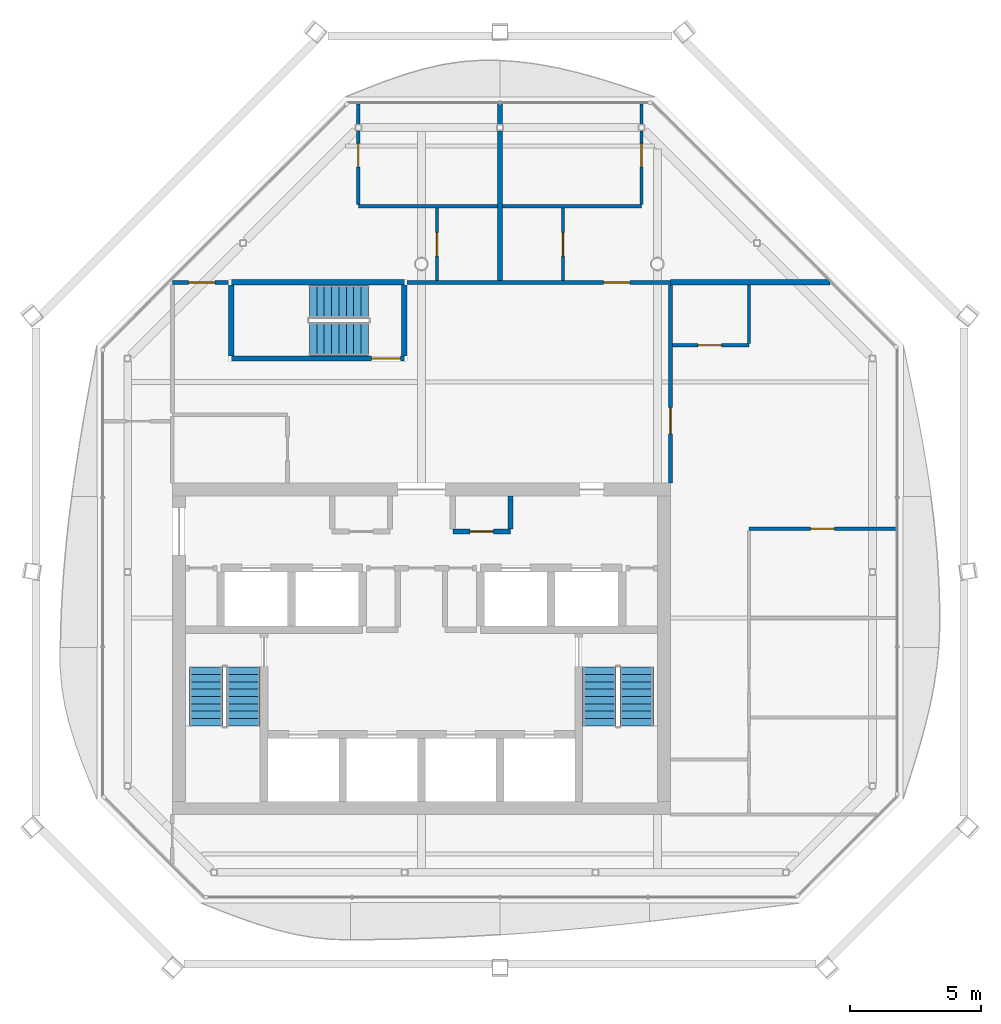
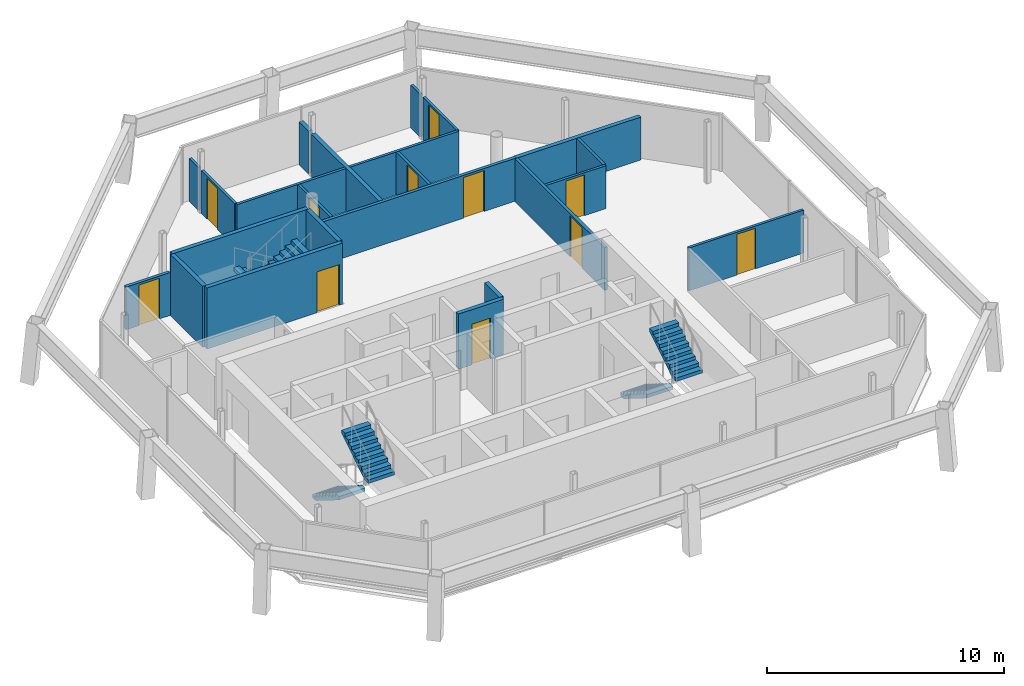
# One storey, part 11 of 14: 22 walls, 11 doors, 6 stair flights, 11 openings, 3 elements without a shape of their own.
"""IFC4 building model written with IfcOpenShell, lengths in metres."""

from ifc_helpers import new_model, si_unit, direction, frame, frame_2d, origin, place, context, subcontext, project, spatial, polyline, rectangle, outline, extrude, material, layer, layer_set, type_object, element, fill, aggregate, save


model = new_model("IFC4")

# Units and contexts
model_context = context("Model", 3, precision=1e-05, world=origin(), true_north=direction((0.0, 1.0)))
body_context = subcontext(model_context, "Body", "Model", "MODEL_VIEW")
ifc_project = project(units=[si_unit("LENGTHUNIT", "METRE"), si_unit("AREAUNIT", "SQUARE_METRE"), si_unit("VOLUMEUNIT", "CUBIC_METRE"), si_unit("PLANEANGLEUNIT", "RADIAN"), si_unit("MASSUNIT", "GRAM", prefix="KILO")], contexts=[model_context])

# Site, building, storey
site_placement = place(None, origin())
site = spatial("IfcSite", under=ifc_project, at=site_placement, CompositionType="ELEMENT")
building_placement = place(site_placement, origin())
building = spatial("IfcBuilding", under=site, at=building_placement, Name="Tskaro Facet Tower", CompositionType="ELEMENT")
storey_placement = place(building_placement, frame((0.0, 0.0, 294.14990234375)))
storey = spatial("IfcBuildingStorey", under=building, at=storey_placement, Name="L79", CompositionType="ELEMENT", Elevation=294.14990234375)

# Wall, opening, door
ifc_material_1 = material(Name="Concrete C20/25", Category="concrete")
ifc_layer_1 = layer(ifc_material_1, 0.199951171875, Name="Concrete C20/25")
ifc_layer_set_1 = layer_set([ifc_layer_1], Name="Concrete C20/25")
wall_type_1 = type_object("IfcWallType", Name="CORE-WALL", PredefinedType="SOLIDWALL", material=ifc_layer_set_1)
wall_1_placement = place(storey_placement, frame((1.199951171875, -1.199951171875, 0.0), z_axis=(0.0, 0.0, 1.0), x_axis=(1.0, 0.0, 0.0)))
wall_1 = element("IfcWall", 1, at=wall_1_placement, inside=storey, type_object=wall_type_1, Name="Core room wall W016", PredefinedType="SOLIDWALL", context=body_context, shape_type="SweptSolid", body=[
    extrude(rectangle(XDim=2.199951171875, YDim=0.199951171875, at=frame_2d((1.10009765625, 0.0))), origin(), (0.0, 0.0, 1.0), 2.85009765625),
])
opening_1_placement = place(wall_1_placement, frame((0.64990234375, 0.0, 0.0)))
opening_1 = element("IfcOpeningElement", 2, at=opening_1_placement, cuts=wall_1, Name="Opening T23-D11", PredefinedType="OPENING", context=body_context, shape_type="SweptSolid", body=[
    extrude(rectangle(XDim=0.89990234375, YDim=2.10009765625, at=frame_2d((0.449951171875, 1.050048828125))), frame((0.0, 0.10986328125, 0.0), z_axis=(0.0, -1.0, 0.0), x_axis=(1.0, 0.0, 0.0)), (0.0, 0.0, 1.0), 0.219970703125),
])
ifc_material_2 = material(Name="Timber", Category="wood")
door_type_1 = type_object("IfcDoorType", Name="D-ROOM", OperationType="NOTDEFINED", PredefinedType="DOOR", material=ifc_material_2)
door_1_placement = place(opening_1_placement, origin())
door_1 = element("IfcDoor", 3, at=door_1_placement, inside=storey, type_object=door_type_1, Name="Door T23-D11", OperationType="SINGLE_SWING_LEFT", OverallHeight=2.10009765625, OverallWidth=0.89990234375, PredefinedType="DOOR", context=body_context, shape_type="SweptSolid", body=[
    extrude(rectangle(XDim=0.89990234375, YDim=2.10009765625, at=frame_2d((0.449951171875, 1.050048828125))), frame((0.0, 0.02490234375, 0.0), z_axis=(0.0, -1.0, 0.0), x_axis=(1.0, 0.0, 0.0)), (0.0, 0.0, 1.0), 0.050048828125),
])
fill(opening_1, door_1)

# Wall
wall_2_placement = place(storey_placement, frame((3.39990234375, -1.10009765625, 0.0), z_axis=(0.0, 0.0, 1.0), x_axis=(0.0, 1.0, 0.0)))
element("IfcWall", 4, at=wall_2_placement, inside=storey, type_object=wall_type_1, Name="Core room wall W051", PredefinedType="SOLIDWALL", context=body_context, shape_type="SweptSolid", body=[
    extrude(rectangle(XDim=1.25, YDim=0.199951171875, at=frame_2d((0.625, 0.0))), origin(), (0.0, 0.0, 1.0), 2.85009765625),
])

# Wall, opening, door
ifc_material_3 = material(Name="Gypsum board on steel studs", Category="steel")
ifc_layer_2 = layer(ifc_material_3, 0.125, Name="Gypsum board on steel studs")
ifc_layer_set_2 = layer_set([ifc_layer_2], Name="Gypsum board on steel studs")
wall_type_2 = type_object("IfcWallType", Name="PART", PredefinedType="PARTITIONING", material=ifc_layer_set_2)
wall_3_placement = place(storey_placement, frame((18.10009765625, -1.10009765625, 0.0), z_axis=(0.0, 0.0, 1.0), x_axis=(-1.0, 0.0, 0.0)))
wall_3 = element("IfcWall", 5, at=wall_3_placement, inside=storey, type_object=wall_type_2, Name="Partition W017", PredefinedType="PARTITIONING", context=body_context, shape_type="SweptSolid", body=[
    extrude(rectangle(XDim=5.60009765625, YDim=0.125, at=frame_2d((2.800048828125, 0.0))), origin(), (0.0, 0.0, 1.0), 2.210205078125),
])
opening_2_placement = place(wall_3_placement, frame((2.35009765625, 0.0, 0.0)))
opening_2 = element("IfcOpeningElement", 6, at=opening_2_placement, cuts=wall_3, Name="Opening T23-D12", PredefinedType="OPENING", context=body_context, shape_type="SweptSolid", body=[
    extrude(rectangle(XDim=0.89990234375, YDim=2.10009765625, at=frame_2d((0.449951171875, 1.050048828125))), frame((0.0, 0.072509765625, 0.0), z_axis=(0.0, -1.0, 0.0), x_axis=(1.0, 0.0, 0.0)), (0.0, 0.0, 1.0), 0.14501953125),
])
door_2_placement = place(opening_2_placement, origin())
door_2 = element("IfcDoor", 7, at=door_2_placement, inside=storey, type_object=door_type_1, Name="Door T23-D12", OperationType="SINGLE_SWING_RIGHT", OverallHeight=2.10009765625, OverallWidth=0.89990234375, PredefinedType="DOOR", context=body_context, shape_type="SweptSolid", body=[
    extrude(rectangle(XDim=0.89990234375, YDim=2.10009765625, at=frame_2d((0.449951171875, 1.050048828125))), frame((0.0, 0.02490234375, 0.0), z_axis=(0.0, -1.0, 0.0), x_axis=(1.0, 0.0, 0.0)), (0.0, 0.0, 1.0), 0.050048828125),
])
fill(opening_2, door_2)

wall_4_placement = place(storey_placement, frame((9.574951171875, 5.89990234375, 0.0), z_axis=(0.0, 0.0, 1.0), x_axis=(1.0, 0.0, 0.0)))
wall_4 = element("IfcWall", 8, at=wall_4_placement, inside=storey, type_object=wall_type_2, Name="Partition W021", PredefinedType="PARTITIONING", context=body_context, shape_type="SweptSolid", body=[
    extrude(rectangle(XDim=2.925048828125, YDim=0.125, at=frame_2d((1.46240234375, 0.0))), origin(), (0.0, 0.0, 1.0), 2.210205078125),
])
opening_3_placement = place(wall_4_placement, frame((0.97509765625, 0.0, 0.0)))
opening_3 = element("IfcOpeningElement", 9, at=opening_3_placement, cuts=wall_4, Name="Opening T23-D18", PredefinedType="OPENING", context=body_context, shape_type="SweptSolid", body=[
    extrude(rectangle(XDim=0.89990234375, YDim=2.10009765625, at=frame_2d((0.449951171875, 1.050048828125))), frame((0.0, 0.072509765625, 0.0), z_axis=(0.0, -1.0, 0.0), x_axis=(1.0, 0.0, 0.0)), (0.0, 0.0, 1.0), 0.14501953125),
])
door_3_placement = place(opening_3_placement, origin())
door_3 = element("IfcDoor", 10, at=door_3_placement, inside=storey, type_object=door_type_1, Name="Door T23-D18", OperationType="SINGLE_SWING_LEFT", OverallHeight=2.10009765625, OverallWidth=0.89990234375, PredefinedType="DOOR", context=body_context, shape_type="SweptSolid", body=[
    extrude(rectangle(XDim=0.89990234375, YDim=2.10009765625, at=frame_2d((0.449951171875, 1.050048828125))), frame((0.0, 0.02490234375, 0.0), z_axis=(0.0, -1.0, 0.0), x_axis=(1.0, 0.0, 0.0)), (0.0, 0.0, 1.0), 0.050048828125),
])
fill(opening_3, door_3)

# Wall
wall_5_placement = place(storey_placement, frame((-2.405029296875, 11.199951171875, 0.0), z_axis=(0.0, 0.0, 1.0), x_axis=(1.0, 0.0, 0.0)))
element("IfcWall", 11, at=wall_5_placement, inside=storey, type_object=wall_type_2, Name="Partition W026", PredefinedType="PARTITIONING", context=body_context, shape_type="SweptSolid", body=[
    extrude(rectangle(XDim=10.804931640625, YDim=0.125, at=frame_2d((5.40234375, 0.0))), origin(), (0.0, 0.0, 1.0), 2.210205078125),
])

# Wall, opening, door
wall_6_placement = place(storey_placement, frame((-2.405029296875, 14.074951171875, 0.0), z_axis=(0.0, 0.0, 1.0), x_axis=(0.0, -1.0, 0.0)))
wall_6 = element("IfcWall", 12, at=wall_6_placement, inside=storey, type_object=wall_type_2, Name="Partition W037", PredefinedType="PARTITIONING", context=body_context, shape_type="SweptSolid", body=[
    extrude(rectangle(XDim=2.8125, YDim=0.125, at=frame_2d((1.40625, 0.0))), origin(), (0.0, 0.0, 1.0), 2.210205078125),
])
opening_4_placement = place(wall_6_placement, frame((0.47509765625, 0.0, 0.0)))
opening_4 = element("IfcOpeningElement", 13, at=opening_4_placement, cuts=wall_6, Name="Opening T23-D23", PredefinedType="OPENING", context=body_context, shape_type="SweptSolid", body=[
    extrude(rectangle(XDim=0.89990234375, YDim=2.10009765625, at=frame_2d((0.449951171875, 1.050048828125))), frame((0.0, 0.072509765625, 0.0), z_axis=(0.0, -1.0, 0.0), x_axis=(1.0, 0.0, 0.0)), (0.0, 0.0, 1.0), 0.14501953125),
])
door_4_placement = place(opening_4_placement, origin())
door_4 = element("IfcDoor", 14, at=door_4_placement, inside=storey, type_object=door_type_1, Name="Door T23-D23", OperationType="SINGLE_SWING_RIGHT", OverallHeight=2.10009765625, OverallWidth=0.89990234375, PredefinedType="DOOR", context=body_context, shape_type="SweptSolid", body=[
    extrude(rectangle(XDim=0.89990234375, YDim=2.10009765625, at=frame_2d((0.449951171875, 1.050048828125))), frame((0.0, 0.02490234375, 0.0), z_axis=(0.0, -1.0, 0.0), x_axis=(1.0, 0.0, 0.0)), (0.0, 0.0, 1.0), 0.050048828125),
])
fill(opening_4, door_4)

# Wall
wall_7_placement = place(storey_placement, frame((-2.405029296875, 14.324951171875, 0.0), z_axis=(0.0, 0.0, 1.0), x_axis=(0.0, 1.0, 0.0)))
element("IfcWall", 15, at=wall_7_placement, inside=storey, type_object=wall_type_2, Name="Partition W038", PredefinedType="PARTITIONING", context=body_context, shape_type="SweptSolid", body=[
    extrude(rectangle(XDim=0.775146484375, YDim=0.125, at=frame_2d((0.3876953125, 0.0))), origin(), (0.0, 0.0, 1.0), 2.210205078125),
])

# Wall, opening, door
wall_8_placement = place(storey_placement, frame((0.60009765625, 11.137451171875, 0.0), z_axis=(0.0, 0.0, 1.0), x_axis=(0.0, -1.0, 0.0)))
wall_8 = element("IfcWall", 16, at=wall_8_placement, inside=storey, type_object=wall_type_2, Name="Partition W044", PredefinedType="PARTITIONING", context=body_context, shape_type="SweptSolid", body=[
    extrude(rectangle(XDim=2.762451171875, YDim=0.125, at=frame_2d((1.38134765625, 0.0))), origin(), (0.0, 0.0, 1.0), 2.210205078125),
])
opening_5_placement = place(wall_8_placement, frame((0.9375, 0.0, 0.0)))
opening_5 = element("IfcOpeningElement", 17, at=opening_5_placement, cuts=wall_8, Name="Opening T23-D21", PredefinedType="OPENING", context=body_context, shape_type="SweptSolid", body=[
    extrude(rectangle(XDim=0.89990234375, YDim=2.10009765625, at=frame_2d((0.449951171875, 1.050048828125))), frame((0.0, 0.072509765625, 0.0), z_axis=(0.0, -1.0, 0.0), x_axis=(1.0, 0.0, 0.0)), (0.0, 0.0, 1.0), 0.14501953125),
])
door_5_placement = place(opening_5_placement, origin())
door_5 = element("IfcDoor", 18, at=door_5_placement, inside=storey, type_object=door_type_1, Name="Door T23-D21", OperationType="SINGLE_SWING_RIGHT", OverallHeight=2.10009765625, OverallWidth=0.89990234375, PredefinedType="DOOR", context=body_context, shape_type="SweptSolid", body=[
    extrude(rectangle(XDim=0.89990234375, YDim=2.10009765625, at=frame_2d((0.449951171875, 1.050048828125))), frame((0.0, 0.02490234375, 0.0), z_axis=(0.0, -1.0, 0.0), x_axis=(1.0, 0.0, 0.0)), (0.0, 0.0, 1.0), 0.050048828125),
])
fill(opening_5, door_5)

wall_9_placement = place(storey_placement, frame((5.39990234375, 8.375, 0.0), z_axis=(0.0, 0.0, 1.0), x_axis=(0.0, 1.0, 0.0)))
wall_9 = element("IfcWall", 19, at=wall_9_placement, inside=storey, type_object=wall_type_2, Name="Partition W053", PredefinedType="PARTITIONING", context=body_context, shape_type="SweptSolid", body=[
    extrude(rectangle(XDim=2.762451171875, YDim=0.125, at=frame_2d((1.38134765625, 0.0))), origin(), (0.0, 0.0, 1.0), 2.210205078125),
])
opening_6_placement = place(wall_9_placement, frame((0.925048828125, 0.0, 0.0)))
opening_6 = element("IfcOpeningElement", 20, at=opening_6_placement, cuts=wall_9, Name="Opening T23-D22", PredefinedType="OPENING", context=body_context, shape_type="SweptSolid", body=[
    extrude(rectangle(XDim=0.89990234375, YDim=2.10009765625, at=frame_2d((0.449951171875, 1.050048828125))), frame((0.0, 0.072509765625, 0.0), z_axis=(0.0, -1.0, 0.0), x_axis=(1.0, 0.0, 0.0)), (0.0, 0.0, 1.0), 0.14501953125),
])
door_6_placement = place(opening_6_placement, origin())
door_6 = element("IfcDoor", 21, at=door_6_placement, inside=storey, type_object=door_type_1, Name="Door T23-D22", OperationType="SINGLE_SWING_LEFT", OverallHeight=2.10009765625, OverallWidth=0.89990234375, PredefinedType="DOOR", context=body_context, shape_type="SweptSolid", body=[
    extrude(rectangle(XDim=0.89990234375, YDim=2.10009765625, at=frame_2d((0.449951171875, 1.050048828125))), frame((0.0, 0.02490234375, 0.0), z_axis=(0.0, -1.0, 0.0), x_axis=(1.0, 0.0, 0.0)), (0.0, 0.0, 1.0), 0.050048828125),
])
fill(opening_6, door_6)

wall_10_placement = place(storey_placement, frame((8.39990234375, 11.262451171875, 0.0), z_axis=(0.0, 0.0, 1.0), x_axis=(0.0, 1.0, 0.0)))
wall_10 = element("IfcWall", 22, at=wall_10_placement, inside=storey, type_object=wall_type_2, Name="Partition W056", PredefinedType="PARTITIONING", context=body_context, shape_type="SweptSolid", body=[
    extrude(rectangle(XDim=2.8125, YDim=0.125, at=frame_2d((1.40625, 0.0))), origin(), (0.0, 0.0, 1.0), 2.210205078125),
])
opening_7_placement = place(wall_10_placement, frame((1.4375, 0.0, 0.0)))
opening_7 = element("IfcOpeningElement", 23, at=opening_7_placement, cuts=wall_10, Name="Opening T23-D24", PredefinedType="OPENING", context=body_context, shape_type="SweptSolid", body=[
    extrude(rectangle(XDim=0.89990234375, YDim=2.10009765625, at=frame_2d((0.449951171875, 1.050048828125))), frame((0.0, 0.072509765625, 0.0), z_axis=(0.0, -1.0, 0.0), x_axis=(1.0, 0.0, 0.0)), (0.0, 0.0, 1.0), 0.14501953125),
])
door_7_placement = place(opening_7_placement, origin())
door_7 = element("IfcDoor", 24, at=door_7_placement, inside=storey, type_object=door_type_1, Name="Door T23-D24", OperationType="SINGLE_SWING_LEFT", OverallHeight=2.10009765625, OverallWidth=0.89990234375, PredefinedType="DOOR", context=body_context, shape_type="SweptSolid", body=[
    extrude(rectangle(XDim=0.89990234375, YDim=2.10009765625, at=frame_2d((0.449951171875, 1.050048828125))), frame((0.0, 0.02490234375, 0.0), z_axis=(0.0, -1.0, 0.0), x_axis=(1.0, 0.0, 0.0)), (0.0, 0.0, 1.0), 0.050048828125),
])
fill(opening_7, door_7)

# Walls
wall_11_placement = place(storey_placement, frame((8.39990234375, 14.324951171875, 0.0), z_axis=(0.0, 0.0, 1.0), x_axis=(0.0, 1.0, 0.0)))
element("IfcWall", 25, at=wall_11_placement, inside=storey, type_object=wall_type_2, Name="Partition W057", PredefinedType="PARTITIONING", context=body_context, shape_type="SweptSolid", body=[
    extrude(rectangle(XDim=0.775146484375, YDim=0.125, at=frame_2d((0.3876953125, 0.0))), origin(), (0.0, 0.0, 1.0), 2.210205078125),
])
wall_12_placement = place(storey_placement, frame((12.5, 5.96240234375, 0.0), z_axis=(0.0, 0.0, 1.0), x_axis=(0.0, 1.0, 0.0)))
element("IfcWall", 26, at=wall_12_placement, inside=storey, type_object=wall_type_2, Name="Partition W060", PredefinedType="PARTITIONING", context=body_context, shape_type="SweptSolid", body=[
    extrude(rectangle(XDim=2.237548828125, YDim=0.125, at=frame_2d((1.11865234375, 0.0))), origin(), (0.0, 0.0, 1.0), 2.210205078125),
])

# Wall, opening, door
ifc_layer_3 = layer(ifc_material_3, 0.14990234375, Name="Gypsum board on steel studs")
ifc_layer_set_3 = layer_set([ifc_layer_3], Name="Gypsum board on steel studs")
wall_type_3 = type_object("IfcWallType", Name="PART-CORR", PredefinedType="PARTITIONING", material=ifc_layer_set_3)
wall_13_placement = place(storey_placement, frame((-9.5, 8.300048828125, 0.0), z_axis=(0.0, 0.0, 1.0), x_axis=(1.0, 0.0, 0.0)))
wall_13 = element("IfcWall", 27, at=wall_13_placement, inside=storey, type_object=wall_type_3, Name="Corridor wall W022", PredefinedType="PARTITIONING", context=body_context, shape_type="SweptSolid", body=[
    extrude(rectangle(XDim=2.14990234375, YDim=0.14990234375, at=frame_2d((1.074951171875, 0.0))), origin(), (0.0, 0.0, 1.0), 2.210205078125),
])
opening_8_placement = place(wall_13_placement, frame((0.625, 0.0, 0.0)))
opening_8 = element("IfcOpeningElement", 28, at=opening_8_placement, cuts=wall_13, Name="Opening T23-D19", PredefinedType="OPENING", context=body_context, shape_type="SweptSolid", body=[
    extrude(rectangle(XDim=1.0, YDim=2.10009765625, at=frame_2d((0.5, 1.050048828125))), frame((0.0, 0.0849609375, 0.0), z_axis=(0.0, -1.0, 0.0), x_axis=(1.0, 0.0, 0.0)), (0.0, 0.0, 1.0), 0.169921875),
])
door_type_2 = type_object("IfcDoorType", Name="D-FLAT-ENTRY", OperationType="NOTDEFINED", PredefinedType="DOOR", material=ifc_material_2)
door_8_placement = place(opening_8_placement, origin())
door_8 = element("IfcDoor", 29, at=door_8_placement, inside=storey, type_object=door_type_2, Name="Door T23-D19", OperationType="SINGLE_SWING_RIGHT", OverallHeight=2.10009765625, OverallWidth=1.0, PredefinedType="DOOR", context=body_context, shape_type="SweptSolid", body=[
    extrude(rectangle(XDim=1.0, YDim=2.10009765625, at=frame_2d((0.5, 1.050048828125))), frame((0.0, 0.02490234375, 0.0), z_axis=(0.0, -1.0, 0.0), x_axis=(1.0, 0.0, 0.0)), (0.0, 0.0, 1.0), 0.050048828125),
])
fill(opening_8, door_8)

wall_14_placement = place(storey_placement, frame((-0.550048828125, 8.300048828125, 0.0), z_axis=(0.0, 0.0, 1.0), x_axis=(1.0, 0.0, 0.0)))
wall_14 = element("IfcWall", 30, at=wall_14_placement, inside=storey, type_object=wall_type_3, Name="Corridor wall W024", PredefinedType="PARTITIONING", context=body_context, shape_type="SweptSolid", body=[
    extrude(rectangle(XDim=10.050048828125, YDim=0.14990234375, at=frame_2d((5.02490234375, 0.0))), origin(), (0.0, 0.0, 1.0), 2.210205078125),
])
opening_9_placement = place(wall_14_placement, frame((7.5, 0.0, 0.0)))
opening_9 = element("IfcOpeningElement", 31, at=opening_9_placement, cuts=wall_14, Name="Opening T23-D20", PredefinedType="OPENING", context=body_context, shape_type="SweptSolid", body=[
    extrude(rectangle(XDim=1.0, YDim=2.10009765625, at=frame_2d((0.5, 1.050048828125))), frame((0.0, 0.0849609375, 0.0), z_axis=(0.0, -1.0, 0.0), x_axis=(1.0, 0.0, 0.0)), (0.0, 0.0, 1.0), 0.169921875),
])
door_9_placement = place(opening_9_placement, origin())
door_9 = element("IfcDoor", 32, at=door_9_placement, inside=storey, type_object=door_type_2, Name="Door T23-D20", OperationType="SINGLE_SWING_LEFT", OverallHeight=2.10009765625, OverallWidth=1.0, PredefinedType="DOOR", context=body_context, shape_type="SweptSolid", body=[
    extrude(rectangle(XDim=1.0, YDim=2.10009765625, at=frame_2d((0.5, 1.050048828125))), frame((0.0, 0.02490234375, 0.0), z_axis=(0.0, -1.0, 0.0), x_axis=(1.0, 0.0, 0.0)), (0.0, 0.0, 1.0), 0.050048828125),
])
fill(opening_9, door_9)

wall_15_placement = place(storey_placement, frame((9.5, 8.199951171875, 0.0), z_axis=(0.0, 0.0, 1.0), x_axis=(0.0, -1.0, 0.0)))
wall_15 = element("IfcWall", 33, at=wall_15_placement, inside=storey, type_object=wall_type_3, Name="Corridor wall W058", PredefinedType="PARTITIONING", context=body_context, shape_type="SweptSolid", body=[
    extrude(rectangle(XDim=7.550048828125, YDim=0.14990234375, at=frame_2d((3.77490234375, 0.0))), origin(), (0.0, 0.0, 1.0), 2.210205078125),
])
opening_10_placement = place(wall_15_placement, frame((4.675048828125, 0.0, 0.0)))
opening_10 = element("IfcOpeningElement", 34, at=opening_10_placement, cuts=wall_15, Name="Opening T23-D17", PredefinedType="OPENING", context=body_context, shape_type="SweptSolid", body=[
    extrude(rectangle(XDim=1.0, YDim=2.10009765625, at=frame_2d((0.5, 1.050048828125))), frame((0.0, 0.0849609375, 0.0), z_axis=(0.0, -1.0, 0.0), x_axis=(1.0, 0.0, 0.0)), (0.0, 0.0, 1.0), 0.169921875),
])
door_10_placement = place(opening_10_placement, origin())
door_10 = element("IfcDoor", 35, at=door_10_placement, inside=storey, type_object=door_type_2, Name="Door T23-D17", OperationType="SINGLE_SWING_LEFT", OverallHeight=2.10009765625, OverallWidth=1.0, PredefinedType="DOOR", context=body_context, shape_type="SweptSolid", body=[
    extrude(rectangle(XDim=1.0, YDim=2.10009765625, at=frame_2d((0.5, 1.050048828125))), frame((0.0, 0.02490234375, 0.0), z_axis=(0.0, -1.0, 0.0), x_axis=(1.0, 0.0, 0.0)), (0.0, 0.0, 1.0), 0.050048828125),
])
fill(opening_10, door_10)

# Walls
ifc_layer_4 = layer(ifc_material_3, 0.199951171875, Name="Gypsum board on steel studs")
ifc_layer_set_4 = layer_set([ifc_layer_4], Name="Gypsum board on steel studs")
wall_type_4 = type_object("IfcWallType", Name="PART-DEMISING", PredefinedType="PARTITIONING", material=ifc_layer_set_4)
wall_16_placement = place(storey_placement, frame((9.5, 8.300048828125, 0.0), z_axis=(0.0, 0.0, 1.0), x_axis=(1.0, 0.0, 0.0)))
element("IfcWall", 36, at=wall_16_placement, inside=storey, type_object=wall_type_4, Name="Guest room wall W025", PredefinedType="PARTITIONING", context=body_context, shape_type="SweptSolid", body=[
    extrude(rectangle(XDim=6.075927734375, YDim=0.199951171875, at=frame_2d((3.0380859375, 0.0))), origin(), (0.0, 0.0, 1.0), 2.210205078125),
])
wall_17_placement = place(storey_placement, frame((3.0, 8.375, 0.0), z_axis=(0.0, 0.0, 1.0), x_axis=(0.0, 1.0, 0.0)))
element("IfcWall", 37, at=wall_17_placement, inside=storey, type_object=wall_type_4, Name="Guest room wall W049", PredefinedType="PARTITIONING", context=body_context, shape_type="SweptSolid", body=[
    extrude(rectangle(XDim=5.699951171875, YDim=0.199951171875, at=frame_2d((2.85009765625, 0.0))), origin(), (0.0, 0.0, 1.0), 2.210205078125),
])
wall_18_placement = place(storey_placement, frame((3.0, 14.324951171875, 0.0), z_axis=(0.0, 0.0, 1.0), x_axis=(0.0, 1.0, 0.0)))
element("IfcWall", 38, at=wall_18_placement, inside=storey, type_object=wall_type_4, Name="Guest room wall W050", PredefinedType="PARTITIONING", context=body_context, shape_type="SweptSolid", body=[
    extrude(rectangle(XDim=0.775146484375, YDim=0.199951171875, at=frame_2d((0.3876953125, 0.0))), origin(), (0.0, 0.0, 1.0), 2.210205078125),
])

# Wall, opening, door
ifc_material_4 = material(Name="Concrete C60/75", Category="concrete")
ifc_layer_5 = layer(ifc_material_4, 0.199951171875, Name="Concrete C60/75")
ifc_layer_set_5 = layer_set([ifc_layer_5], Name="Concrete C60/75")
wall_type_5 = type_object("IfcWallType", Name="STAIR-WALL", PredefinedType="SHEAR", material=ifc_layer_set_5)
wall_19_placement = place(storey_placement, frame((-7.25, 5.39990234375, 0.0), z_axis=(0.0, 0.0, 1.0), x_axis=(1.0, 0.0, 0.0)))
wall_19 = element("IfcWall", 39, at=wall_19_placement, inside=storey, type_object=wall_type_5, Name="Stair wall W020", PredefinedType="SHEAR", context=body_context, shape_type="SweptSolid", body=[
    extrude(rectangle(XDim=6.60009765625, YDim=0.199951171875, at=frame_2d((3.300048828125, 0.0))), origin(), (0.0, 0.0, 1.0), 3.150146484375),
])
opening_11_placement = place(wall_19_placement, frame((5.35009765625, 0.0, 0.0)))
opening_11 = element("IfcOpeningElement", 40, at=opening_11_placement, cuts=wall_19, Name="Opening ST-3-D1", PredefinedType="OPENING", context=body_context, shape_type="SweptSolid", body=[
    extrude(rectangle(XDim=1.10009765625, YDim=2.10009765625, at=frame_2d((0.550048828125, 1.050048828125))), frame((0.0, 0.10986328125, 0.0), z_axis=(0.0, -1.0, 0.0), x_axis=(1.0, 0.0, 0.0)), (0.0, 0.0, 1.0), 0.219970703125),
])
ifc_material_5 = material(Name="Steel", Category="steel")
door_type_3 = type_object("IfcDoorType", Name="D-STAIR", OperationType="NOTDEFINED", PredefinedType="DOOR", material=ifc_material_5)
door_11_placement = place(opening_11_placement, origin())
door_11 = element("IfcDoor", 41, at=door_11_placement, inside=storey, type_object=door_type_3, Name="Stair door 3", OperationType="SINGLE_SWING_LEFT", OverallHeight=2.10009765625, OverallWidth=1.10009765625, PredefinedType="DOOR", context=body_context, shape_type="SweptSolid", body=[
    extrude(rectangle(XDim=1.10009765625, YDim=2.10009765625, at=frame_2d((0.550048828125, 1.050048828125))), frame((0.0, 0.02490234375, 0.0), z_axis=(0.0, -1.0, 0.0), x_axis=(1.0, 0.0, 0.0)), (0.0, 0.0, 1.0), 0.050048828125),
])
fill(opening_11, door_11)

# Walls
wall_20_placement = place(storey_placement, frame((-7.25, 8.300048828125, 0.0), z_axis=(0.0, 0.0, 1.0), x_axis=(1.0, 0.0, 0.0)))
element("IfcWall", 42, at=wall_20_placement, inside=storey, type_object=wall_type_5, Name="Stair wall W023", PredefinedType="SHEAR", context=body_context, shape_type="SweptSolid", body=[
    extrude(rectangle(XDim=6.60009765625, YDim=0.199951171875, at=frame_2d((3.300048828125, 0.0))), origin(), (0.0, 0.0, 1.0), 3.150146484375),
])
for number, where, z_axis, x_axis, name in (
    (43, (-7.25, 5.5, 0.0), (0.0, 0.0, 1.0), (0.0, 1.0, 0.0), "Stair wall W031"),
    (44, (-0.64990234375, 5.5, 0.0), (0.0, 0.0, 1.0), (0.0, 1.0, 0.0), "Stair wall W042"),
):
    element("IfcWall", number, at=place(storey_placement, frame(where, z_axis=z_axis, x_axis=x_axis)), inside=storey, type_object=wall_type_5, Name=name, PredefinedType="SHEAR", context=body_context, shape_type="SweptSolid", body=[
        extrude(rectangle(XDim=2.699951171875, YDim=0.199951171875, at=frame_2d((1.35009765625, 0.0))), origin(), (0.0, 0.0, 1.0), 3.150146484375),
    ])

# Stair, stair flights
ifc_material_6 = material(Name="Concrete C40/50", Category="concrete")
stair_type = type_object("IfcStairType", Name="ST-TWR", PredefinedType="HALF_TURN_STAIR", material=ifc_material_6)
stair_1_placement = place(storey_placement, origin())
stair_1 = element("IfcStair", 45, at=stair_1_placement, inside=storey, type_object=stair_type, Name="L79 Exit stair 1", PredefinedType="HALF_TURN_STAIR")
stair_flight_type = type_object("IfcStairFlightType", Name="SFL-RC", PredefinedType="STRAIGHT", material=ifc_material_6)
stair_flight_1_placement = place(storey_placement, frame((-8.21240234375, -6.375, 0.0), z_axis=(0.0, 0.0, 1.0), x_axis=(0.0, -1.0, 0.0)))
stair_flight_1 = element("IfcStairFlight", 46, at=stair_flight_1_placement, type_object=stair_flight_type, Name="ST-1 flight 1", NumberOfRisers=9, NumberOfTreads=8, PredefinedType="STRAIGHT", RiserHeight=0.175, TreadLength=0.28, context=body_context, shape_type="SweptSolid", body=[
    extrude(outline(polyline([(0.0, 0.0), (0.0, 0.175048828125), (0.280029296875, 0.175048828125), (0.280029296875, 0.35009765625), (0.56005859375, 0.35009765625), (0.56005859375, 0.52490234375), (0.840087890625, 0.52490234375), (0.840087890625, 0.699951171875), (1.1201171875, 0.699951171875), (1.1201171875, 0.875), (1.39990234375, 0.875), (1.39990234375, 1.050048828125), (1.679931640625, 1.050048828125), (1.679931640625, 1.22509765625), (1.9599609375, 1.22509765625), (1.9599609375, 1.39990234375), (2.239990234375, 1.39990234375), (2.239990234375, 1.574951171875), (2.239990234375, 1.22314453125), (0.28271484375, 0.0), (0.0, 0.0)])), frame((0.0, 0.637451171875, 0.0), z_axis=(0.0, -1.0, 0.0), x_axis=(1.0, 0.0, 0.0)), (0.0, 0.0, 1.0), 1.27490234375),
])
stair_flight_2_placement = place(storey_placement, frame((-6.78759765625, -8.614990234375, 1.5751953125), z_axis=(0.0, 0.0, 1.0), x_axis=(0.0, 1.0, 0.0)))
stair_flight_2 = element("IfcStairFlight", 47, at=stair_flight_2_placement, type_object=stair_flight_type, Name="ST-1 flight 2", NumberOfRisers=9, NumberOfTreads=8, PredefinedType="STRAIGHT", RiserHeight=0.175, TreadLength=0.28, context=body_context, shape_type="SweptSolid", body=[
    extrude(outline(polyline([(0.0, 0.0), (0.0, 0.175048828125), (0.280029296875, 0.175048828125), (0.280029296875, 0.35009765625), (0.56005859375, 0.35009765625), (0.56005859375, 0.52490234375), (0.840087890625, 0.52490234375), (0.840087890625, 0.699951171875), (1.1201171875, 0.699951171875), (1.1201171875, 0.875), (1.39990234375, 0.875), (1.39990234375, 1.050048828125), (1.679931640625, 1.050048828125), (1.679931640625, 1.22509765625), (1.9599609375, 1.22509765625), (1.9599609375, 1.39990234375), (2.239990234375, 1.39990234375), (2.239990234375, 1.574951171875), (2.239990234375, 1.22314453125), (0.28271484375, 0.0), (0.0, 0.0)])), frame((0.0, 0.637451171875, 0.0), z_axis=(0.0, -1.0, 0.0), x_axis=(1.0, 0.0, 0.0)), (0.0, 0.0, 1.0), 1.27490234375),
])
aggregate(stair_1, [stair_flight_1, stair_flight_2])

stair_2_placement = place(storey_placement, origin())
stair_2 = element("IfcStair", 48, at=stair_2_placement, inside=storey, type_object=stair_type, Name="L79 Exit stair 2", PredefinedType="HALF_TURN_STAIR")
stair_flight_3_placement = place(storey_placement, frame((6.78759765625, -6.375, 0.0), z_axis=(0.0, 0.0, 1.0), x_axis=(0.0, -1.0, 0.0)))
stair_flight_3 = element("IfcStairFlight", 49, at=stair_flight_3_placement, type_object=stair_flight_type, Name="ST-2 flight 1", NumberOfRisers=9, NumberOfTreads=8, PredefinedType="STRAIGHT", RiserHeight=0.175, TreadLength=0.28, context=body_context, shape_type="SweptSolid", body=[
    extrude(outline(polyline([(0.0, 0.0), (0.0, 0.175048828125), (0.280029296875, 0.175048828125), (0.280029296875, 0.35009765625), (0.56005859375, 0.35009765625), (0.56005859375, 0.52490234375), (0.840087890625, 0.52490234375), (0.840087890625, 0.699951171875), (1.1201171875, 0.699951171875), (1.1201171875, 0.875), (1.39990234375, 0.875), (1.39990234375, 1.050048828125), (1.679931640625, 1.050048828125), (1.679931640625, 1.22509765625), (1.9599609375, 1.22509765625), (1.9599609375, 1.39990234375), (2.239990234375, 1.39990234375), (2.239990234375, 1.574951171875), (2.239990234375, 1.22314453125), (0.28271484375, 0.0), (0.0, 0.0)])), frame((0.0, 0.637451171875, 0.0), z_axis=(0.0, -1.0, 0.0), x_axis=(1.0, 0.0, 0.0)), (0.0, 0.0, 1.0), 1.27490234375),
])
stair_flight_4_placement = place(storey_placement, frame((8.21240234375, -8.614990234375, 1.5751953125), z_axis=(0.0, 0.0, 1.0), x_axis=(0.0, 1.0, 0.0)))
stair_flight_4 = element("IfcStairFlight", 50, at=stair_flight_4_placement, type_object=stair_flight_type, Name="ST-2 flight 2", NumberOfRisers=9, NumberOfTreads=8, PredefinedType="STRAIGHT", RiserHeight=0.175, TreadLength=0.28, context=body_context, shape_type="SweptSolid", body=[
    extrude(outline(polyline([(0.0, 0.0), (0.0, 0.175048828125), (0.280029296875, 0.175048828125), (0.280029296875, 0.35009765625), (0.56005859375, 0.35009765625), (0.56005859375, 0.52490234375), (0.840087890625, 0.52490234375), (0.840087890625, 0.699951171875), (1.1201171875, 0.699951171875), (1.1201171875, 0.875), (1.39990234375, 0.875), (1.39990234375, 1.050048828125), (1.679931640625, 1.050048828125), (1.679931640625, 1.22509765625), (1.9599609375, 1.22509765625), (1.9599609375, 1.39990234375), (2.239990234375, 1.39990234375), (2.239990234375, 1.574951171875), (2.239990234375, 1.22314453125), (0.28271484375, 0.0), (0.0, 0.0)])), frame((0.0, 0.637451171875, 0.0), z_axis=(0.0, -1.0, 0.0), x_axis=(1.0, 0.0, 0.0)), (0.0, 0.0, 1.0), 1.27490234375),
])
aggregate(stair_2, [stair_flight_3, stair_flight_4])

stair_3_placement = place(storey_placement, origin())
stair_3 = element("IfcStair", 51, at=stair_3_placement, inside=storey, type_object=stair_type, Name="L79 Exit stair 3", PredefinedType="HALF_TURN_STAIR")
stair_flight_5_placement = place(storey_placement, frame((-2.02490234375, 7.5625, 0.0), z_axis=(0.0, 0.0, 1.0), x_axis=(-1.0, 0.0, 0.0)))
stair_flight_5 = element("IfcStairFlight", 52, at=stair_flight_5_placement, type_object=stair_flight_type, Name="ST-3 flight 1", NumberOfRisers=9, NumberOfTreads=8, PredefinedType="STRAIGHT", RiserHeight=0.175, TreadLength=0.28, context=body_context, shape_type="SweptSolid", body=[
    extrude(outline(polyline([(0.0, 0.0), (0.0, 0.175048828125), (0.280029296875, 0.175048828125), (0.280029296875, 0.35009765625), (0.56005859375, 0.35009765625), (0.56005859375, 0.52490234375), (0.840087890625, 0.52490234375), (0.840087890625, 0.699951171875), (1.1201171875, 0.699951171875), (1.1201171875, 0.875), (1.39990234375, 0.875), (1.39990234375, 1.050048828125), (1.679931640625, 1.050048828125), (1.679931640625, 1.22509765625), (1.9599609375, 1.22509765625), (1.9599609375, 1.39990234375), (2.239990234375, 1.39990234375), (2.239990234375, 1.574951171875), (2.239990234375, 1.22314453125), (0.28271484375, 0.0), (0.0, 0.0)])), frame((0.0, 0.637451171875, 0.0), z_axis=(0.0, -1.0, 0.0), x_axis=(1.0, 0.0, 0.0)), (0.0, 0.0, 1.0), 1.27490234375),
])
stair_flight_6_placement = place(storey_placement, frame((-4.264892578125, 6.137451171875, 1.5751953125), z_axis=(0.0, 0.0, 1.0), x_axis=(1.0, 0.0, 0.0)))
stair_flight_6 = element("IfcStairFlight", 53, at=stair_flight_6_placement, type_object=stair_flight_type, Name="ST-3 flight 2", NumberOfRisers=9, NumberOfTreads=8, PredefinedType="STRAIGHT", RiserHeight=0.175, TreadLength=0.28, context=body_context, shape_type="SweptSolid", body=[
    extrude(outline(polyline([(0.0, 0.0), (0.0, 0.175048828125), (0.280029296875, 0.175048828125), (0.280029296875, 0.35009765625), (0.56005859375, 0.35009765625), (0.56005859375, 0.52490234375), (0.840087890625, 0.52490234375), (0.840087890625, 0.699951171875), (1.1201171875, 0.699951171875), (1.1201171875, 0.875), (1.39990234375, 0.875), (1.39990234375, 1.050048828125), (1.679931640625, 1.050048828125), (1.679931640625, 1.22509765625), (1.9599609375, 1.22509765625), (1.9599609375, 1.39990234375), (2.239990234375, 1.39990234375), (2.239990234375, 1.574951171875), (2.239990234375, 1.22314453125), (0.28271484375, 0.0), (0.0, 0.0)])), frame((0.0, 0.637451171875, 0.0), z_axis=(0.0, -1.0, 0.0), x_axis=(1.0, 0.0, 0.0)), (0.0, 0.0, 1.0), 1.27490234375),
])
aggregate(stair_3, [stair_flight_5, stair_flight_6])

save(model, "model.ifc")
